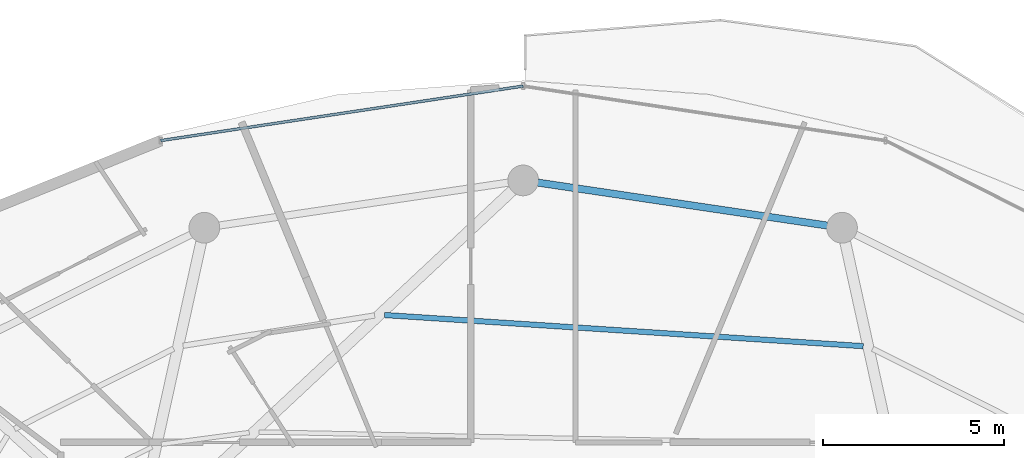
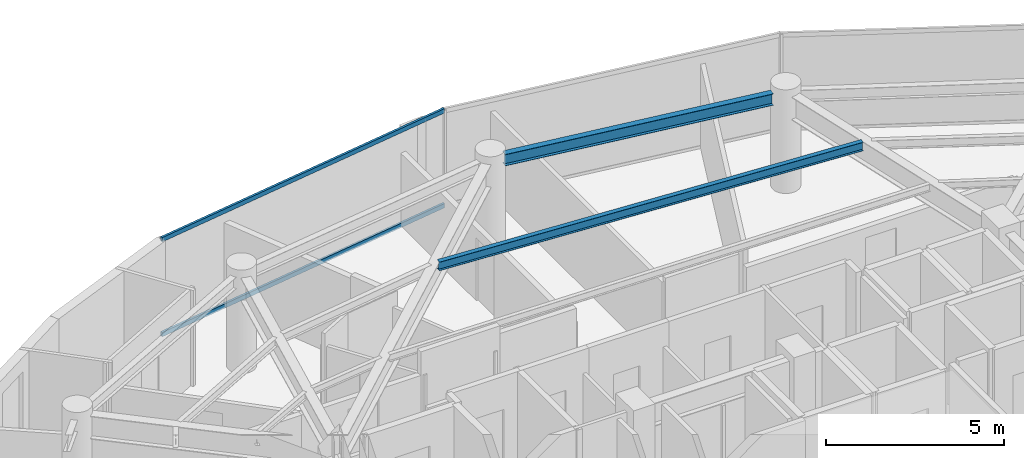
# One storey, part 19 of 31: 2 beams, 2 members, 1 element without a shape of its own.
"""IFC4 building model written with IfcOpenShell, lengths in metres."""

from ifc_helpers import new_model, si_unit, direction, frame, origin, origin_2d, place, context, subcontext, project, spatial, hollow_rectangle, i_section, extrude, material, material_profile, profile_set, type_object, element, aggregate, save


model = new_model("IFC4")

# Units and contexts
model_context = context("Model", 3, precision=1e-05, world=origin(), true_north=direction((0.0, 1.0)))
body_context = subcontext(model_context, "Body", "Model", "MODEL_VIEW")
ifc_project = project(units=[si_unit("LENGTHUNIT", "METRE"), si_unit("AREAUNIT", "SQUARE_METRE"), si_unit("VOLUMEUNIT", "CUBIC_METRE"), si_unit("PLANEANGLEUNIT", "RADIAN"), si_unit("MASSUNIT", "GRAM", prefix="KILO")], contexts=[model_context])

# Site, building, storey
site_placement = place(None, origin())
site = spatial("IfcSite", under=ifc_project, at=site_placement, CompositionType="ELEMENT")
building_placement = place(site_placement, origin())
building = spatial("IfcBuilding", under=site, at=building_placement, Name="Vorneva Point Tower", CompositionType="ELEMENT")
storey_placement = place(building_placement, frame((0.0, 0.0, 244.89990234375)))
storey = spatial("IfcBuildingStorey", under=building, at=storey_placement, Name="L66", CompositionType="ELEMENT", Elevation=244.89990234375)

# Beams
ifc_material_1 = material(Name="Steel S355", Category="steel")
ifc_material_profile_1 = material_profile(ifc_material_1, i_section(OverallWidth=0.14892578125, OverallDepth=0.298095703125, WebThickness=0.005615234375, FlangeThickness=0.008056640625, at=origin_2d()), Name="30B1")
ifc_profile_set_1 = profile_set([ifc_material_profile_1], Name="Steel S355")
beam_type_1 = type_object("IfcBeamType", Name="BM-JST-30B1", PredefinedType="JOIST", material=ifc_profile_set_1)
beam_1_placement = place(storey_placement, frame((47.408203125, 38.614501953125, 3.14111328125), z_axis=(-0.997889548282, 0.064934193066, 0.0), x_axis=(-0.064934193066, -0.997889548282, 0.0)))
element("IfcBeam", 1, at=beam_1_placement, inside=storey, type_object=beam_type_1, Name="L66 Secondary Floor Beam 1.04", PredefinedType="JOIST", context=body_context, shape_type="SweptSolid", body=[
    extrude(i_section(OverallWidth=0.14892578125, OverallDepth=0.298095703125, WebThickness=0.005615234375, FlangeThickness=0.008056640625, at=origin_2d()), origin(), (0.0, 0.0, 1.0), 13.272216796875),
])
ifc_material_profile_2 = material_profile(ifc_material_1, i_section(OverallWidth=0.198974609375, OverallDepth=0.39599609375, WebThickness=0.007080078125, FlangeThickness=0.010986328125, at=origin_2d()), Name="40B1")
ifc_profile_set_2 = profile_set([ifc_material_profile_2], Name="Steel S355")
beam_type_2 = type_object("IfcBeamType", Name="BM-SPN-40B1", PredefinedType="SPANDREL", material=ifc_profile_set_2)
beam_2_placement = place(storey_placement, frame((46.415283203125, 41.950927734375, 3.092041015625), z_axis=(-0.989161657331, 0.146830567886, 0.0), x_axis=(-0.146830567886, -0.989161657331, 0.0)))
element("IfcBeam", 2, at=beam_2_placement, inside=storey, type_object=beam_type_2, Name="L66 Perimeter Spandrel Ring Beam 04", PredefinedType="SPANDREL", context=body_context, shape_type="SweptSolid", body=[
    extrude(i_section(OverallWidth=0.198974609375, OverallDepth=0.39599609375, WebThickness=0.007080078125, FlangeThickness=0.010986328125, at=origin_2d()), origin(), (0.0, 0.0, 1.0), 8.097412109375),
])

# Curtain wall, members
ifc_material_2 = material(Name="Pale anodised aluminium", Category="aluminium")
curtain_wall_type = type_object("IfcCurtainWallType", Name="CW-RES-SYS", PredefinedType="NOTDEFINED", material=ifc_material_2)
curtain_wall_placement = place(storey_placement, origin())
curtain_wall = element("IfcCurtainWall", 3, at=curtain_wall_placement, inside=storey, type_object=curtain_wall_type, Name="L66 Unitised Curtain Wall CW-L66-R02", PredefinedType="NOTDEFINED")
ifc_material_profile_3 = material_profile(ifc_material_2, hollow_rectangle(XDim=0.074951171875, YDim=0.14990234375, WallThickness=0.00390625, at=origin_2d()), Name="AL-TRN 150x75x4")
ifc_profile_set_3 = profile_set([ifc_material_profile_3], Name="Pale anodised aluminium")
member_type = type_object("IfcMemberType", Name="CW-TRN-150", PredefinedType="USERDEFINED", material=ifc_profile_set_3)
member_1_placement = place(storey_placement, frame((38.0, 45.81005859375, 0.02001953125), z_axis=(-0.988876929856, -0.148736066907, 0.0), x_axis=(0.148736066907, -0.988876929856, 0.0)))
member_1 = element("IfcMember", 4, at=member_1_placement, type_object=member_type, Name="CW-L66-R02 Transom 03.1", ObjectType="TRANSOM", PredefinedType="USERDEFINED", context=body_context, shape_type="SweptSolid", body=[
    extrude(hollow_rectangle(XDim=0.074951171875, YDim=0.14990234375, WallThickness=0.00390625, at=origin_2d()), origin(), (0.0, 0.0, 1.0), 10.13916015625),
])
member_2_placement = place(storey_placement, frame((38.0, 45.81005859375, 3.27001953125), z_axis=(-0.988876929856, -0.148736066907, 0.0), x_axis=(0.148736066907, -0.988876929856, 0.0)))
member_2 = element("IfcMember", 5, at=member_2_placement, type_object=member_type, Name="CW-L66-R02 Transom 03.2", ObjectType="TRANSOM", PredefinedType="USERDEFINED", context=body_context, shape_type="SweptSolid", body=[
    extrude(hollow_rectangle(XDim=0.074951171875, YDim=0.14990234375, WallThickness=0.00390625, at=origin_2d()), origin(), (0.0, 0.0, 1.0), 10.13916015625),
])
aggregate(curtain_wall, [member_1, member_2])

save(model, "model.ifc")
